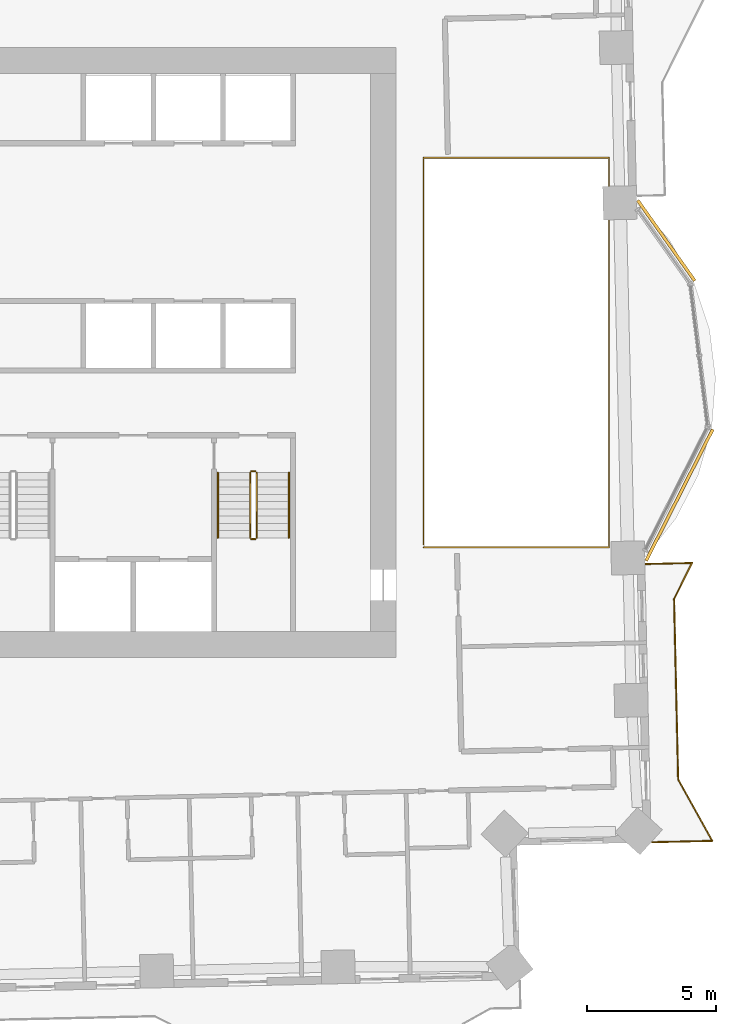
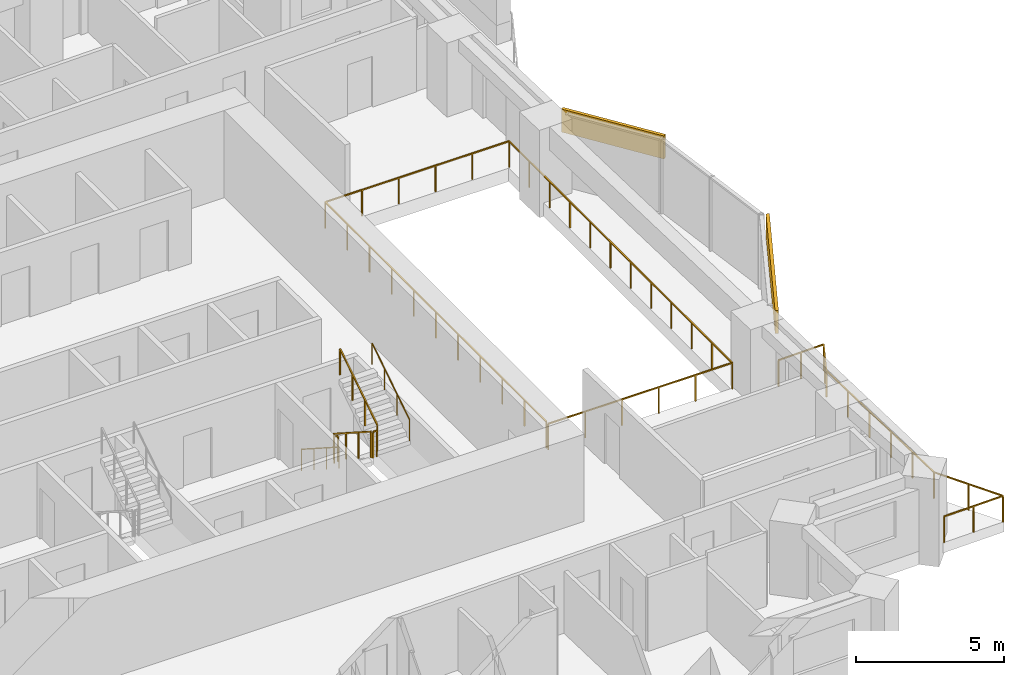
# One storey, part 15 of 16: 8 railings, 2 coverings.
"""IFC4 building model written with IfcOpenShell, lengths in metres."""

from ifc_helpers import new_model, si_unit, direction, frame, frame_2d, origin, origin_2d, place, context, subcontext, project, spatial, rectangle, circle, extrude, material, layer, layer_set, type_object, element, save


model = new_model("IFC4")

# Units and contexts
model_context = context("Model", 3, precision=1e-05, world=origin(), true_north=direction((0.0, 1.0)))
body_context = subcontext(model_context, "Body", "Model", "MODEL_VIEW")
ifc_project = project(units=[si_unit("LENGTHUNIT", "METRE"), si_unit("AREAUNIT", "SQUARE_METRE"), si_unit("VOLUMEUNIT", "CUBIC_METRE"), si_unit("PLANEANGLEUNIT", "RADIAN"), si_unit("MASSUNIT", "GRAM", prefix="KILO")], contexts=[model_context])

# Site, building, storey
site_placement = place(None, origin())
site = spatial("IfcSite", under=ifc_project, at=site_placement, CompositionType="ELEMENT")
building_placement = place(site_placement, origin())
building = spatial("IfcBuilding", under=site, at=building_placement, Name="Mangrove Gate Tower", CompositionType="ELEMENT")
storey_placement = place(building_placement, frame((0.0, 0.0, 137.300048828125)))
storey = spatial("IfcBuildingStorey", under=building, at=storey_placement, Name="L34", CompositionType="ELEMENT", Elevation=137.300048828125)

# Railings
ifc_material_1 = material(Name="Stainless steel grade 316 with laminated glass infill", Category="steel")
railing_type_1 = type_object("IfcRailingType", Name="Balcony guard 1100", PredefinedType="GUARDRAIL", material=ifc_material_1)
railing_1_placement = place(storey_placement, frame((24.7109375, -18.95703125, 0.0)))
element("IfcRailing", 1, at=railing_1_placement, inside=storey, type_object=railing_type_1, Name="GUARD L34 E1", PredefinedType="GUARDRAIL", context=body_context, shape_type="SweptSolid", body=[
    extrude(rectangle(XDim=0.048095703125, YDim=0.048095703125, at=origin_2d()), frame((0.0, 0.0, 1.076171875), z_axis=(0.999750635712, 0.022330839493, 0.0), x_axis=(-0.022330839493, 0.999750635712, 0.0)), (0.0, 0.0, 1.0), 2.32861328125),
    extrude(rectangle(XDim=0.048095703125, YDim=0.048095703125, at=origin_2d()), frame((2.328125, 0.052001953125, 1.076171875), z_axis=(-0.486978608862, 0.873413896449, 0.0), x_axis=(-0.873413896449, -0.486978608862, 0.0)), (0.0, 0.0, 1.0), 2.71484375),
    extrude(rectangle(XDim=0.048095703125, YDim=0.048095703125, at=origin_2d()), frame((1.006103515625, 2.423095703125, 1.076171875), z_axis=(-0.022705559911, 0.999742195543, 0.0), x_axis=(-0.999742195543, -0.022705559911, 0.0)), (0.0, 0.0, 1.0), 6.999755859375),
    extrude(rectangle(XDim=0.048095703125, YDim=0.048095703125, at=origin_2d()), frame((0.84716796875, 9.421142578125, 1.076171875), z_axis=(0.44689951346, 0.8945841631, 0.0), x_axis=(-0.8945841631, 0.44689951346, 0.0)), (0.0, 0.0, 1.0), 1.5546875),
    extrude(rectangle(XDim=0.048095703125, YDim=0.048095703125, at=origin_2d()), frame((1.5419921875, 10.81201171875, 1.076171875), z_axis=(-0.999736374059, -0.02296045261, 0.0), x_axis=(0.02296045261, -0.999736374059, 0.0)), (0.0, 0.0, 1.0), 1.786376953125),
    extrude(rectangle(XDim=0.0419921875, YDim=0.0419921875, at=origin_2d()), origin(), (0.0, 0.0, 1.0), 1.052001953125),
    extrude(rectangle(XDim=0.0419921875, YDim=0.0419921875, at=origin_2d()), frame((1.1640625, 0.02587890625, 0.0)), (0.0, 0.0, 1.0), 1.052001953125),
    extrude(rectangle(XDim=0.0419921875, YDim=0.0419921875, at=origin_2d()), frame((2.328125, 0.052001953125, 0.0)), (0.0, 0.0, 1.0), 1.052001953125),
    extrude(rectangle(XDim=0.0419921875, YDim=0.0419921875, at=origin_2d()), frame((1.6669921875, 1.237548828125, 0.0)), (0.0, 0.0, 1.0), 1.052001953125),
    extrude(rectangle(XDim=0.0419921875, YDim=0.0419921875, at=origin_2d()), frame((1.006103515625, 2.423095703125, 0.0)), (0.0, 0.0, 1.0), 1.052001953125),
    extrude(rectangle(XDim=0.0419921875, YDim=0.0419921875, at=origin_2d()), frame((0.974365234375, 3.82275390625, 0.0)), (0.0, 0.0, 1.0), 1.052001953125),
    extrude(rectangle(XDim=0.0419921875, YDim=0.0419921875, at=origin_2d()), frame((0.942626953125, 5.222412109375, 0.0)), (0.0, 0.0, 1.0), 1.052001953125),
    extrude(rectangle(XDim=0.0419921875, YDim=0.0419921875, at=origin_2d()), frame((0.91064453125, 6.621826171875, 0.0)), (0.0, 0.0, 1.0), 1.052001953125),
    extrude(rectangle(XDim=0.0419921875, YDim=0.0419921875, at=origin_2d()), frame((0.87890625, 8.021484375, 0.0)), (0.0, 0.0, 1.0), 1.052001953125),
    extrude(rectangle(XDim=0.0419921875, YDim=0.0419921875, at=origin_2d()), frame((0.84716796875, 9.421142578125, 0.0)), (0.0, 0.0, 1.0), 1.052001953125),
    extrude(rectangle(XDim=0.0419921875, YDim=0.0419921875, at=origin_2d()), frame((1.194580078125, 10.11669921875, 0.0)), (0.0, 0.0, 1.0), 1.052001953125),
    extrude(rectangle(XDim=0.0419921875, YDim=0.0419921875, at=origin_2d()), frame((1.5419921875, 10.81201171875, 0.0)), (0.0, 0.0, 1.0), 1.052001953125),
    extrude(rectangle(XDim=0.0419921875, YDim=0.0419921875, at=origin_2d()), frame((0.64892578125, 10.79150390625, 0.0)), (0.0, 0.0, 1.0), 1.052001953125),
    extrude(rectangle(XDim=0.0419921875, YDim=0.0419921875, at=origin_2d()), frame((-0.243896484375, 10.77099609375, 0.0)), (0.0, 0.0, 1.0), 1.052001953125),
])
railing_2_placement = place(storey_placement, frame((15.860107421875, -7.5400390625, 0.0)))
element("IfcRailing", 2, at=railing_2_placement, inside=storey, type_object=railing_type_1, Name="GUARD L34 atrium", PredefinedType="GUARDRAIL", context=body_context, shape_type="SweptSolid", body=[
    extrude(rectangle(XDim=0.048095703125, YDim=0.048095703125, at=origin_2d()), frame((0.0, 0.0, 1.076171875), z_axis=(1.0, 0.0, 0.0), x_axis=(0.0, 1.0, 0.0)), (0.0, 0.0, 1.0), 7.1748046875),
    extrude(rectangle(XDim=0.048095703125, YDim=0.048095703125, at=origin_2d()), frame((7.1748046875, 0.0, 1.076171875), z_axis=(0.0, 1.0, 0.0), x_axis=(-1.0, 0.0, 0.0)), (0.0, 0.0, 1.0), 15.080078125),
    extrude(rectangle(XDim=0.048095703125, YDim=0.048095703125, at=origin_2d()), frame((7.1748046875, 15.080078125, 1.076171875), z_axis=(-1.0, 0.0, 0.0), x_axis=(0.0, -1.0, 0.0)), (0.0, 0.0, 1.0), 7.1748046875),
    extrude(rectangle(XDim=0.048095703125, YDim=0.048095703125, at=origin_2d()), frame((0.0, 15.080078125, 1.076171875), z_axis=(0.0, -1.0, 0.0), x_axis=(1.0, 0.0, 0.0)), (0.0, 0.0, 1.0), 14.9599609375),
    extrude(rectangle(XDim=0.0419921875, YDim=0.0419921875, at=origin_2d()), origin(), (0.0, 0.0, 1.0), 1.052001953125),
    extrude(rectangle(XDim=0.0419921875, YDim=0.0419921875, at=origin_2d()), frame((1.43505859375, 0.0, 0.0)), (0.0, 0.0, 1.0), 1.052001953125),
    extrude(rectangle(XDim=0.0419921875, YDim=0.0419921875, at=origin_2d()), frame((2.869873046875, 0.0, 0.0)), (0.0, 0.0, 1.0), 1.052001953125),
    extrude(rectangle(XDim=0.0419921875, YDim=0.0419921875, at=origin_2d()), frame((4.304931640625, 0.0, 0.0)), (0.0, 0.0, 1.0), 1.052001953125),
    extrude(rectangle(XDim=0.0419921875, YDim=0.0419921875, at=origin_2d()), frame((5.73974609375, 0.0, 0.0)), (0.0, 0.0, 1.0), 1.052001953125),
    extrude(rectangle(XDim=0.0419921875, YDim=0.0419921875, at=origin_2d()), frame((7.1748046875, 0.0, 0.0)), (0.0, 0.0, 1.0), 1.052001953125),
    extrude(rectangle(XDim=0.0419921875, YDim=0.0419921875, at=origin_2d()), frame((7.1748046875, 1.370849609375, 0.0)), (0.0, 0.0, 1.0), 1.052001953125),
    extrude(rectangle(XDim=0.0419921875, YDim=0.0419921875, at=origin_2d()), frame((7.1748046875, 2.741943359375, 0.0)), (0.0, 0.0, 1.0), 1.052001953125),
    extrude(rectangle(XDim=0.0419921875, YDim=0.0419921875, at=origin_2d()), frame((7.1748046875, 4.11279296875, 0.0)), (0.0, 0.0, 1.0), 1.052001953125),
    extrude(rectangle(XDim=0.0419921875, YDim=0.0419921875, at=origin_2d()), frame((7.1748046875, 5.483642578125, 0.0)), (0.0, 0.0, 1.0), 1.052001953125),
    extrude(rectangle(XDim=0.0419921875, YDim=0.0419921875, at=origin_2d()), frame((7.1748046875, 6.8544921875, 0.0)), (0.0, 0.0, 1.0), 1.052001953125),
    extrude(rectangle(XDim=0.0419921875, YDim=0.0419921875, at=origin_2d()), frame((7.1748046875, 8.2255859375, 0.0)), (0.0, 0.0, 1.0), 1.052001953125),
    extrude(rectangle(XDim=0.0419921875, YDim=0.0419921875, at=origin_2d()), frame((7.1748046875, 9.596435546875, 0.0)), (0.0, 0.0, 1.0), 1.052001953125),
    extrude(rectangle(XDim=0.0419921875, YDim=0.0419921875, at=origin_2d()), frame((7.1748046875, 10.96728515625, 0.0)), (0.0, 0.0, 1.0), 1.052001953125),
    extrude(rectangle(XDim=0.0419921875, YDim=0.0419921875, at=origin_2d()), frame((7.1748046875, 12.338134765625, 0.0)), (0.0, 0.0, 1.0), 1.052001953125),
    extrude(rectangle(XDim=0.0419921875, YDim=0.0419921875, at=origin_2d()), frame((7.1748046875, 13.709228515625, 0.0)), (0.0, 0.0, 1.0), 1.052001953125),
    extrude(rectangle(XDim=0.0419921875, YDim=0.0419921875, at=origin_2d()), frame((7.1748046875, 15.080078125, 0.0)), (0.0, 0.0, 1.0), 1.052001953125),
    extrude(rectangle(XDim=0.0419921875, YDim=0.0419921875, at=origin_2d()), frame((5.73974609375, 15.080078125, 0.0)), (0.0, 0.0, 1.0), 1.052001953125),
    extrude(rectangle(XDim=0.0419921875, YDim=0.0419921875, at=origin_2d()), frame((4.304931640625, 15.080078125, 0.0)), (0.0, 0.0, 1.0), 1.052001953125),
    extrude(rectangle(XDim=0.0419921875, YDim=0.0419921875, at=origin_2d()), frame((2.869873046875, 15.080078125, 0.0)), (0.0, 0.0, 1.0), 1.052001953125),
    extrude(rectangle(XDim=0.0419921875, YDim=0.0419921875, at=origin_2d()), frame((1.43505859375, 15.080078125, 0.0)), (0.0, 0.0, 1.0), 1.052001953125),
    extrude(rectangle(XDim=0.0419921875, YDim=0.0419921875, at=origin_2d()), frame((0.0, 15.080078125, 0.0)), (0.0, 0.0, 1.0), 1.052001953125),
    extrude(rectangle(XDim=0.0419921875, YDim=0.0419921875, at=origin_2d()), frame((0.0, 13.583984375, 0.0)), (0.0, 0.0, 1.0), 1.052001953125),
    extrude(rectangle(XDim=0.0419921875, YDim=0.0419921875, at=origin_2d()), frame((0.0, 12.088134765625, 0.0)), (0.0, 0.0, 1.0), 1.052001953125),
    extrude(rectangle(XDim=0.0419921875, YDim=0.0419921875, at=origin_2d()), frame((0.0, 10.592041015625, 0.0)), (0.0, 0.0, 1.0), 1.052001953125),
    extrude(rectangle(XDim=0.0419921875, YDim=0.0419921875, at=origin_2d()), frame((0.0, 9.09619140625, 0.0)), (0.0, 0.0, 1.0), 1.052001953125),
    extrude(rectangle(XDim=0.0419921875, YDim=0.0419921875, at=origin_2d()), frame((0.0, 7.60009765625, 0.0)), (0.0, 0.0, 1.0), 1.052001953125),
    extrude(rectangle(XDim=0.0419921875, YDim=0.0419921875, at=origin_2d()), frame((0.0, 6.10400390625, 0.0)), (0.0, 0.0, 1.0), 1.052001953125),
    extrude(rectangle(XDim=0.0419921875, YDim=0.0419921875, at=origin_2d()), frame((0.0, 4.608154296875, 0.0)), (0.0, 0.0, 1.0), 1.052001953125),
    extrude(rectangle(XDim=0.0419921875, YDim=0.0419921875, at=origin_2d()), frame((0.0, 3.112060546875, 0.0)), (0.0, 0.0, 1.0), 1.052001953125),
    extrude(rectangle(XDim=0.0419921875, YDim=0.0419921875, at=origin_2d()), frame((0.0, 1.6162109375, 0.0)), (0.0, 0.0, 1.0), 1.052001953125),
    extrude(rectangle(XDim=0.0419921875, YDim=0.0419921875, at=origin_2d()), frame((0.0, 0.1201171875, 0.0)), (0.0, 0.0, 1.0), 1.052001953125),
])
ifc_material_2 = material(Name="Stainless steel 316", Category="steel")
railing_type_2 = type_object("IfcRailingType", Name="Core stair guard 1100", PredefinedType="GUARDRAIL", material=ifc_material_2)
railing_3_placement = place(storey_placement, frame((9.14990234375, -4.64990234375, 0.179931640625)))
element("IfcRailing", 3, at=railing_3_placement, inside=storey, type_object=railing_type_2, Name="L34 ST3 stair guard 1", PredefinedType="GUARDRAIL", context=body_context, shape_type="SweptSolid", body=[
    extrude(rectangle(XDim=0.048095703125, YDim=0.048095703125, at=origin_2d()), frame((0.0, 0.0, 1.076171875), z_axis=(0.0, -0.841162588446, 0.540782303519), x_axis=(1.0, 0.0, 0.0)), (0.0, 0.0, 1.0), 2.995849609375),
    extrude(rectangle(XDim=0.0419921875, YDim=0.0419921875, at=origin_2d()), origin(), (0.0, 0.0, 1.0), 1.052001953125),
    extrude(rectangle(XDim=0.0419921875, YDim=0.0419921875, at=origin_2d()), frame((0.0, -0.840087890625, 0.5400390625)), (0.0, 0.0, 1.0), 1.052001953125),
    extrude(rectangle(XDim=0.0419921875, YDim=0.0419921875, at=origin_2d()), frame((0.0, -1.679931640625, 1.080078125)), (0.0, 0.0, 1.0), 1.052001953125),
    extrude(rectangle(XDim=0.0419921875, YDim=0.0419921875, at=origin_2d()), frame((0.0, -2.52001953125, 1.6201171875)), (0.0, 0.0, 1.0), 1.052001953125),
])
railing_4_placement = place(storey_placement, frame((9.199951171875, -7.219970703125, 1.800048828125)))
element("IfcRailing", 4, at=railing_4_placement, inside=storey, type_object=railing_type_2, Name="L34 ST3 stair guard 2", PredefinedType="GUARDRAIL", context=body_context, shape_type="SweptSolid", body=[
    extrude(rectangle(XDim=0.048095703125, YDim=0.048095703125, at=origin_2d()), frame((0.0, 0.0, 1.076171875), z_axis=(1.0, 0.0, 0.0), x_axis=(0.0, 1.0, 0.0)), (0.0, 0.0, 1.0), 0.150146484375),
    extrude(rectangle(XDim=0.0419921875, YDim=0.0419921875, at=origin_2d()), origin(), (0.0, 0.0, 1.0), 1.052001953125),
    extrude(rectangle(XDim=0.0419921875, YDim=0.0419921875, at=origin_2d()), frame((0.150146484375, 0.0, 0.0)), (0.0, 0.0, 1.0), 1.052001953125),
])
railing_5_placement = place(storey_placement, frame((9.39990234375, -7.169921875, 1.97998046875)))
element("IfcRailing", 5, at=railing_5_placement, inside=storey, type_object=railing_type_2, Name="L34 ST3 stair guard 3", PredefinedType="GUARDRAIL", context=body_context, shape_type="SweptSolid", body=[
    extrude(rectangle(XDim=0.048095703125, YDim=0.048095703125, at=origin_2d()), frame((0.0, 0.0, 1.076171875), z_axis=(0.0, 0.841199657755, 0.540724639528), x_axis=(-1.0, 0.0, 0.0)), (0.0, 0.0, 1.0), 2.995849609375),
    extrude(rectangle(XDim=0.0419921875, YDim=0.0419921875, at=origin_2d()), origin(), (0.0, 0.0, 1.0), 1.052001953125),
    extrude(rectangle(XDim=0.0419921875, YDim=0.0419921875, at=origin_2d()), frame((0.0, 0.840087890625, 0.5400390625)), (0.0, 0.0, 1.0), 1.052001953125),
    extrude(rectangle(XDim=0.0419921875, YDim=0.0419921875, at=origin_2d()), frame((0.0, 1.679931640625, 1.079833984375)), (0.0, 0.0, 1.0), 1.052001953125),
    extrude(rectangle(XDim=0.0419921875, YDim=0.0419921875, at=origin_2d()), frame((0.0, 2.52001953125, 1.619873046875)), (0.0, 0.0, 1.0), 1.052001953125),
])
railing_6_placement = place(storey_placement, frame((9.199951171875, -4.60009765625, 0.0)))
element("IfcRailing", 6, at=railing_6_placement, inside=storey, type_object=railing_type_2, Name="L34 ST3 stair guard 4", PredefinedType="GUARDRAIL", context=body_context, shape_type="SweptSolid", body=[
    extrude(rectangle(XDim=0.048095703125, YDim=0.048095703125, at=origin_2d()), frame((0.0, 0.0, 1.076171875), z_axis=(1.0, 0.0, 0.0), x_axis=(0.0, 1.0, 0.0)), (0.0, 0.0, 1.0), 0.150146484375),
    extrude(rectangle(XDim=0.0419921875, YDim=0.0419921875, at=origin_2d()), origin(), (0.0, 0.0, 1.0), 1.052001953125),
    extrude(rectangle(XDim=0.0419921875, YDim=0.0419921875, at=origin_2d()), frame((0.150146484375, 0.0, 0.0)), (0.0, 0.0, 1.0), 1.052001953125),
])
ifc_material_3 = material(Name="Stainless steel 316", Category="steel")
railing_type_3 = type_object("IfcRailingType", Name="Core stair handrail 900", PredefinedType="HANDRAIL", material=ifc_material_3)
railing_7_placement = place(storey_placement, frame((7.89990234375, -4.64990234375, 0.179931640625)))
element("IfcRailing", 7, at=railing_7_placement, inside=storey, type_object=railing_type_3, Name="L34 ST3 stair handrail 1", PredefinedType="HANDRAIL", context=body_context, shape_type="SweptSolid", body=[
    extrude(circle(Radius=0.02392578125, at=origin_2d()), frame((0.0, 0.0, 0.8759765625), z_axis=(0.0, -0.841162588446, 0.540782303519), x_axis=(1.0, 0.0, 0.0)), (0.0, 0.0, 1.0), 2.995849609375),
    extrude(circle(Radius=0.02099609375, at=origin_2d()), origin(), (0.0, 0.0, 1.0), 0.851806640625),
    extrude(circle(Radius=0.02099609375, at=origin_2d()), frame((0.0, -0.840087890625, 0.5400390625)), (0.0, 0.0, 1.0), 0.851806640625),
    extrude(circle(Radius=0.02099609375, at=origin_2d()), frame((0.0, -1.679931640625, 1.080078125)), (0.0, 0.0, 1.0), 0.851806640625),
    extrude(circle(Radius=0.02099609375, at=origin_2d()), frame((0.0, -2.52001953125, 1.6201171875)), (0.0, 0.0, 1.0), 0.851806640625),
])
railing_8_placement = place(storey_placement, frame((10.64990234375, -7.169921875, 1.97998046875)))
element("IfcRailing", 8, at=railing_8_placement, inside=storey, type_object=railing_type_3, Name="L34 ST3 stair handrail 2", PredefinedType="HANDRAIL", context=body_context, shape_type="SweptSolid", body=[
    extrude(circle(Radius=0.02392578125, at=origin_2d()), frame((0.0, 0.0, 0.8759765625), z_axis=(0.0, 0.841199657755, 0.540724639528), x_axis=(-1.0, 0.0, 0.0)), (0.0, 0.0, 1.0), 2.995849609375),
    extrude(circle(Radius=0.02099609375, at=origin_2d()), origin(), (0.0, 0.0, 1.0), 0.851806640625),
    extrude(circle(Radius=0.02099609375, at=origin_2d()), frame((0.0, 0.840087890625, 0.5400390625)), (0.0, 0.0, 1.0), 0.851806640625),
    extrude(circle(Radius=0.02099609375, at=origin_2d()), frame((0.0, 1.679931640625, 1.079833984375)), (0.0, 0.0, 1.0), 0.851806640625),
    extrude(circle(Radius=0.02099609375, at=origin_2d()), frame((0.0, 2.52001953125, 1.619873046875)), (0.0, 0.0, 1.0), 0.851806640625),
])

# Coverings
ifc_material_4 = material(Name="Limestone", Category="masonry")
ifc_layer_1 = layer(ifc_material_4, 0.0400390625, Name="Limestone cladding")
ifc_material_5 = material(Name="Stainless steel anchors and cavity", Category="steel")
ifc_layer_2 = layer(ifc_material_5, 0.080078125, Name="Fixing cavity")
ifc_layer_set = layer_set([ifc_layer_1, ifc_layer_2], Name="Joint fascia cladding 120")
covering_type = type_object("IfcCoveringType", Name="Joint fascia cladding 120", PredefinedType="CLADDING", material=ifc_layer_set)
covering_1_placement = place(storey_placement, frame((24.47412109375, -8.059326171875, 2.099853515625), z_axis=(0.0, 0.0, 1.0), x_axis=(0.452615399326, 0.89170583731, 0.0)))
element("IfcCovering", 9, at=covering_1_placement, inside=storey, type_object=covering_type, Name="STONE FASCIA L34 E1.L1", PredefinedType="CLADDING", context=body_context, shape_type="SweptSolid", body=[
    extrude(rectangle(XDim=5.7041015625, YDim=0.1201171875, at=frame_2d((2.85205078125, 0.0))), origin(), (0.0, 0.0, 1.0), 0.9501953125),
])
covering_2_placement = place(storey_placement, frame((26.35888671875, 2.77490234375, 2.099853515625), z_axis=(0.0, 0.0, 1.0), x_axis=(-0.578137942148, 0.815939041748, 0.0)))
element("IfcCovering", 10, at=covering_2_placement, inside=storey, type_object=covering_type, Name="STONE FASCIA L34 E1.L2", PredefinedType="CLADDING", context=body_context, shape_type="SweptSolid", body=[
    extrude(rectangle(XDim=3.819091796875, YDim=0.1201171875, at=frame_2d((1.90966796875, 0.0))), origin(), (0.0, 0.0, 1.0), 0.9501953125),
])

save(model, "model.ifc")
